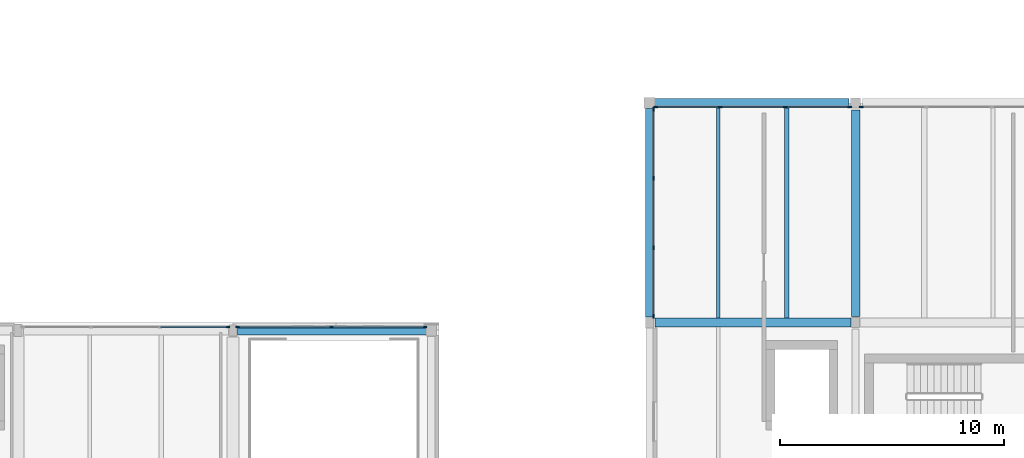
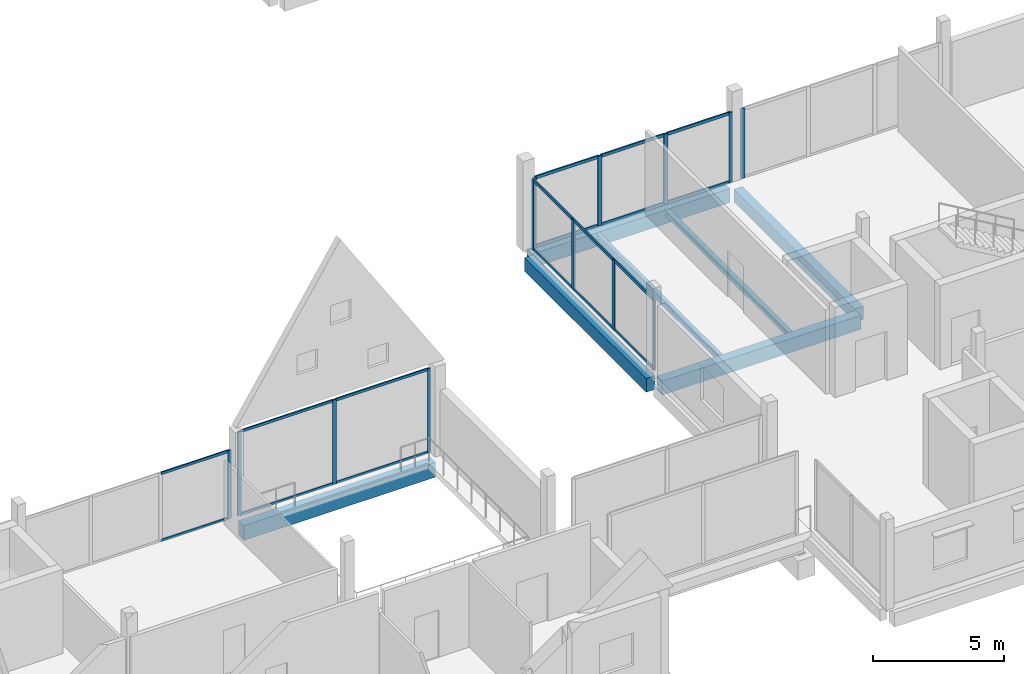
# One storey, part 10 of 35: 31 members, 7 beams, 5 elements without a shape of their own.
"""IFC4 building model written with IfcOpenShell, lengths in metres."""

from ifc_helpers import new_model, si_unit, direction, frame, origin, origin_2d, place, context, subcontext, project, spatial, rectangle, i_section, extrude, material, layer, layer_set, material_profile, profile_set, type_object, element, aggregate, save


model = new_model("IFC4")

# Units and contexts
model_context = context("Model", 3, precision=1e-05, world=origin(), true_north=direction((0.0, 1.0)))
body_context = subcontext(model_context, "Body", "Model", "MODEL_VIEW")
ifc_project = project(units=[si_unit("LENGTHUNIT", "METRE"), si_unit("AREAUNIT", "SQUARE_METRE"), si_unit("VOLUMEUNIT", "CUBIC_METRE"), si_unit("PLANEANGLEUNIT", "RADIAN"), si_unit("MASSUNIT", "GRAM", prefix="KILO")], contexts=[model_context])

# Site, building, storey
site_placement = place(None, origin())
site = spatial("IfcSite", under=ifc_project, at=site_placement, CompositionType="ELEMENT")
building_placement = place(site_placement, origin())
building = spatial("IfcBuilding", under=site, at=building_placement, Name="Birchvale Park Specialist Clinic", CompositionType="ELEMENT")
storey_placement = place(building_placement, frame((0.0, 0.0, 13.800048828125)))
storey = spatial("IfcBuildingStorey", under=building, at=storey_placement, Name="L03", CompositionType="ELEMENT", Elevation=13.800048828125)

# Beams
ifc_material_1 = material(Name="Concrete C40/50", Category="concrete")
ifc_material_profile_1 = material_profile(ifc_material_1, rectangle(XDim=0.39990234375, YDim=0.68994140625, at=origin_2d()), Name="RCB-400x690")
ifc_profile_set_1 = profile_set([ifc_material_profile_1], Name="Concrete C40/50")
beam_type_1 = type_object("IfcBeamType", Name="BM-EXT-BG4", PredefinedType="BEAM", material=ifc_profile_set_1)
beam_1_placement = place(storey_placement, frame((109.610107421875, 34.25, -0.625), z_axis=(1.0, 0.0, 0.0), x_axis=(0.0, 1.0, 0.0)))
element("IfcBeam", 1, at=beam_1_placement, inside=storey, type_object=beam_type_1, Name="V4 L03 X girder 17", PredefinedType="BEAM", context=body_context, shape_type="SweptSolid", body=[
    extrude(rectangle(XDim=0.39990234375, YDim=0.68994140625, at=origin_2d()), origin(), (0.0, 0.0, 1.0), 8.454833984375),
])
ifc_material_profile_2 = material_profile(ifc_material_1, rectangle(XDim=0.3798828125, YDim=0.639892578125, at=origin_2d()), Name="RCB-380x640")
ifc_profile_set_2 = profile_set([ifc_material_profile_2], Name="Concrete C40/50")
beam_type_2 = type_object("IfcBeamType", Name="BM-EXT-BG5", PredefinedType="BEAM", material=ifc_profile_set_2)
beam_2_placement = place(storey_placement, frame((128.0, 34.85009765625, -0.60009765625), z_axis=(0.0, 1.0, 0.0), x_axis=(-1.0, 0.0, 0.0)))
element("IfcBeam", 2, at=beam_2_placement, inside=storey, type_object=beam_type_2, Name="V5 L03 Y girder 15", PredefinedType="BEAM", context=body_context, shape_type="SweptSolid", body=[
    extrude(rectangle(XDim=0.3798828125, YDim=0.639892578125, at=origin_2d()), origin(), (0.0, 0.0, 1.0), 9.2998046875),
])
ifc_material_profile_3 = material_profile(ifc_material_1, rectangle(XDim=0.39990234375, YDim=0.64990234375, at=origin_2d()), Name="RCB-400x650")
ifc_profile_set_3 = profile_set([ifc_material_profile_3], Name="Concrete C40/50")
beam_type_3 = type_object("IfcBeamType", Name="BM-INT-BG4", PredefinedType="BEAM", material=ifc_profile_set_3)
beam_3_placement = place(storey_placement, frame((128.25, 34.60009765625, -0.60498046875), z_axis=(1.0, 0.0, 0.0), x_axis=(0.0, 1.0, 0.0)))
element("IfcBeam", 3, at=beam_3_placement, inside=storey, type_object=beam_type_3, Name="V5 L03 X girder 7", PredefinedType="BEAM", context=body_context, shape_type="SweptSolid", body=[
    extrude(rectangle(XDim=0.39990234375, YDim=0.64990234375, at=origin_2d()), origin(), (0.0, 0.0, 1.0), 8.75),
])
beam_4_placement = place(storey_placement, frame((128.175048828125, 44.39990234375, -0.60498046875), z_axis=(1.0, 0.0, 0.0), x_axis=(0.0, 1.0, 0.0)))
element("IfcBeam", 4, at=beam_4_placement, inside=storey, type_object=beam_type_3, Name="V5 L03 X girder 10", PredefinedType="BEAM", context=body_context, shape_type="SweptSolid", body=[
    extrude(rectangle(XDim=0.39990234375, YDim=0.64990234375, at=origin_2d()), origin(), (0.0, 0.0, 1.0), 8.724853515625),
])
ifc_material_profile_4 = material_profile(ifc_material_1, rectangle(XDim=0.3798828125, YDim=0.60009765625, at=origin_2d()), Name="RCB-380x600")
ifc_profile_set_4 = profile_set([ifc_material_profile_4], Name="Concrete C40/50")
beam_type_4 = type_object("IfcBeamType", Name="BM-INT-BG5", PredefinedType="BEAM", material=ifc_profile_set_4)
beam_5_placement = place(storey_placement, frame((137.199951171875, 34.875, -0.580078125), z_axis=(0.0, 1.0, 0.0), x_axis=(-1.0, 0.0, 0.0)))
element("IfcBeam", 5, at=beam_5_placement, inside=storey, type_object=beam_type_4, Name="V5 L03 Y girder 18", PredefinedType="BEAM", context=body_context, shape_type="SweptSolid", body=[
    extrude(rectangle(XDim=0.3798828125, YDim=0.60009765625, at=origin_2d()), origin(), (0.0, 0.0, 1.0), 9.22509765625),
])

# Curtain wall, members
ifc_material_2 = material(Name="Thermally broken anodised aluminium", Category="aluminium")
ifc_layer_1 = layer(ifc_material_2, 0.179931640625)
ifc_layer_set_1 = layer_set([ifc_layer_1], Name="Thermally broken anodised aluminium")
curtain_wall_type_1 = type_object("IfcCurtainWallType", Name="CW-U1", PredefinedType="USERDEFINED", material=ifc_layer_set_1)
curtain_wall_1_placement = place(storey_placement, origin())
curtain_wall_1 = element("IfcCurtainWall", 6, at=curtain_wall_1_placement, inside=storey, type_object=curtain_wall_type_1, Name="V4 L03 glazed curtain wall 123", ObjectType="UNITISED", PredefinedType="USERDEFINED")
ifc_material_profile_5 = material_profile(ifc_material_2, rectangle(XDim=0.06005859375, YDim=0.159912109375, at=origin_2d()), Name="CWM-60x160")
ifc_profile_set_5 = profile_set([ifc_material_profile_5], Name="Thermally broken anodised aluminium")
member_type_1 = type_object("IfcMemberType", Name="CWM1", PredefinedType="MULLION", material=ifc_profile_set_5)
member_1_placement = place(storey_placement, frame((117.97998046875, 34.409912109375, 0.0), z_axis=(0.0, 0.0, 1.0), x_axis=(0.0, -1.0, 0.0)))
member_1 = element("IfcMember", 7, at=member_1_placement, type_object=member_type_1, Name="CW mullion 1", PredefinedType="MULLION", context=body_context, shape_type="SweptSolid", body=[
    extrude(rectangle(XDim=0.06005859375, YDim=0.159912109375, at=origin_2d()), origin(), (0.0, 0.0, 1.0), 3.919921875),
])
member_2_placement = place(storey_placement, frame((113.797607421875, 34.409912109375, 0.0), z_axis=(0.0, 0.0, 1.0), x_axis=(0.0, -1.0, 0.0)))
member_2 = element("IfcMember", 8, at=member_2_placement, type_object=member_type_1, Name="CW mullion 2", PredefinedType="MULLION", context=body_context, shape_type="SweptSolid", body=[
    extrude(rectangle(XDim=0.06005859375, YDim=0.159912109375, at=origin_2d()), origin(), (0.0, 0.0, 1.0), 3.919921875),
])
member_3_placement = place(storey_placement, frame((109.614990234375, 34.409912109375, 0.0), z_axis=(0.0, 0.0, 1.0), x_axis=(0.0, -1.0, 0.0)))
member_3 = element("IfcMember", 9, at=member_3_placement, type_object=member_type_1, Name="CW mullion 3", PredefinedType="MULLION", context=body_context, shape_type="SweptSolid", body=[
    extrude(rectangle(XDim=0.06005859375, YDim=0.159912109375, at=origin_2d()), origin(), (0.0, 0.0, 1.0), 3.919921875),
])

# Curtain wall, member
curtain_wall_2_placement = place(storey_placement, origin())
curtain_wall_2 = element("IfcCurtainWall", 10, at=curtain_wall_2_placement, inside=storey, type_object=curtain_wall_type_1, Name="V4 L03 glazed curtain wall 124", ObjectType="UNITISED", PredefinedType="USERDEFINED")
member_4_placement = place(storey_placement, frame((109.18505859375, 34.409912109375, 0.0), z_axis=(0.0, 0.0, 1.0), x_axis=(0.0, -1.0, 0.0)))
member_4 = element("IfcMember", 11, at=member_4_placement, type_object=member_type_1, Name="CW mullion 1", PredefinedType="MULLION", context=body_context, shape_type="SweptSolid", body=[
    extrude(rectangle(XDim=0.06005859375, YDim=0.159912109375, at=origin_2d()), origin(), (0.0, 0.0, 1.0), 3.18505859375),
])

ifc_layer_2 = layer(ifc_material_2, 0.195068359375)
ifc_layer_set_2 = layer_set([ifc_layer_2], Name="Thermally broken anodised aluminium")
curtain_wall_type_2 = type_object("IfcCurtainWallType", Name="CW-U2", PredefinedType="USERDEFINED", material=ifc_layer_set_2)
curtain_wall_3_placement = place(storey_placement, origin())
curtain_wall_3 = element("IfcCurtainWall", 12, at=curtain_wall_3_placement, inside=storey, type_object=curtain_wall_type_2, Name="V5 L03 glazed curtain wall 126", ObjectType="UNITISED", PredefinedType="USERDEFINED")
ifc_material_profile_6 = material_profile(ifc_material_2, rectangle(XDim=0.06494140625, YDim=0.179931640625, at=origin_2d()), Name="CWM-65x180")
ifc_profile_set_6 = profile_set([ifc_material_profile_6], Name="Thermally broken anodised aluminium")
member_type_2 = type_object("IfcMemberType", Name="CWM2", PredefinedType="MULLION", material=ifc_profile_set_6)
member_5_placement = place(storey_placement, frame((137.45751953125, 44.22509765625, 0.0), z_axis=(0.0, 0.0, 1.0), x_axis=(0.0, -1.0, 0.0)))
member_5 = element("IfcMember", 13, at=member_5_placement, type_object=member_type_2, Name="CW mullion 4", PredefinedType="MULLION", context=body_context, shape_type="SweptSolid", body=[
    extrude(rectangle(XDim=0.06494140625, YDim=0.179931640625, at=origin_2d()), origin(), (0.0, 0.0, 1.0), 3.260009765625),
])
aggregate(curtain_wall_3, [member_5])

# Curtain wall, members
curtain_wall_4_placement = place(storey_placement, origin())
curtain_wall_4 = element("IfcCurtainWall", 14, at=curtain_wall_4_placement, inside=storey, type_object=curtain_wall_type_2, Name="V5 L03 glazed curtain wall 127", ObjectType="UNITISED", PredefinedType="USERDEFINED")
member_6_placement = place(storey_placement, frame((136.9423828125, 44.22509765625, 0.0), z_axis=(0.0, 0.0, 1.0), x_axis=(0.0, -1.0, 0.0)))
member_6 = element("IfcMember", 15, at=member_6_placement, type_object=member_type_2, Name="CW mullion 1", PredefinedType="MULLION", context=body_context, shape_type="SweptSolid", body=[
    extrude(rectangle(XDim=0.06494140625, YDim=0.179931640625, at=origin_2d()), origin(), (0.0, 0.0, 1.0), 3.260009765625),
])
member_7_placement = place(storey_placement, frame((134.066650390625, 44.22509765625, 0.0), z_axis=(0.0, 0.0, 1.0), x_axis=(0.0, -1.0, 0.0)))
member_7 = element("IfcMember", 16, at=member_7_placement, type_object=member_type_2, Name="CW mullion 2", PredefinedType="MULLION", context=body_context, shape_type="SweptSolid", body=[
    extrude(rectangle(XDim=0.06494140625, YDim=0.179931640625, at=origin_2d()), origin(), (0.0, 0.0, 1.0), 3.260009765625),
])
member_8_placement = place(storey_placement, frame((131.158447265625, 44.22509765625, 0.0), z_axis=(0.0, 0.0, 1.0), x_axis=(0.0, -1.0, 0.0)))
member_8 = element("IfcMember", 17, at=member_8_placement, type_object=member_type_2, Name="CW mullion 3", PredefinedType="MULLION", context=body_context, shape_type="SweptSolid", body=[
    extrude(rectangle(XDim=0.06494140625, YDim=0.179931640625, at=origin_2d()), origin(), (0.0, 0.0, 1.0), 3.260009765625),
])
member_9_placement = place(storey_placement, frame((128.282470703125, 44.22509765625, 0.0), z_axis=(0.0, 0.0, 1.0), x_axis=(0.0, -1.0, 0.0)))
member_9 = element("IfcMember", 18, at=member_9_placement, type_object=member_type_2, Name="CW mullion 4", PredefinedType="MULLION", context=body_context, shape_type="SweptSolid", body=[
    extrude(rectangle(XDim=0.06494140625, YDim=0.179931640625, at=origin_2d()), origin(), (0.0, 0.0, 1.0), 3.260009765625),
])

curtain_wall_5_placement = place(storey_placement, origin())
curtain_wall_5 = element("IfcCurtainWall", 19, at=curtain_wall_5_placement, inside=storey, type_object=curtain_wall_type_2, Name="V5 L03 glazed curtain wall 128", ObjectType="UNITISED", PredefinedType="USERDEFINED")
member_10_placement = place(storey_placement, frame((128.175048828125, 44.117431640625, 0.0), z_axis=(0.0, 0.0, 1.0), x_axis=(1.0, 0.0, 0.0)))
member_10 = element("IfcMember", 20, at=member_10_placement, type_object=member_type_2, Name="CW mullion 1", PredefinedType="MULLION", context=body_context, shape_type="SweptSolid", body=[
    extrude(rectangle(XDim=0.06494140625, YDim=0.179931640625, at=origin_2d()), origin(), (0.0, 0.0, 1.0), 3.27001953125),
])
member_11_placement = place(storey_placement, frame((128.175048828125, 41.050048828125, 0.0), z_axis=(0.0, 0.0, 1.0), x_axis=(1.0, 0.0, 0.0)))
member_11 = element("IfcMember", 21, at=member_11_placement, type_object=member_type_2, Name="CW mullion 2", PredefinedType="MULLION", context=body_context, shape_type="SweptSolid", body=[
    extrude(rectangle(XDim=0.06494140625, YDim=0.179931640625, at=origin_2d()), origin(), (0.0, 0.0, 1.0), 3.27001953125),
])
member_12_placement = place(storey_placement, frame((128.175048828125, 37.949951171875, 0.0), z_axis=(0.0, 0.0, 1.0), x_axis=(1.0, 0.0, 0.0)))
member_12 = element("IfcMember", 22, at=member_12_placement, type_object=member_type_2, Name="CW mullion 3", PredefinedType="MULLION", context=body_context, shape_type="SweptSolid", body=[
    extrude(rectangle(XDim=0.06494140625, YDim=0.179931640625, at=origin_2d()), origin(), (0.0, 0.0, 1.0), 3.27001953125),
])
member_13_placement = place(storey_placement, frame((128.175048828125, 34.882568359375, 0.0), z_axis=(0.0, 0.0, 1.0), x_axis=(1.0, 0.0, 0.0)))
member_13 = element("IfcMember", 23, at=member_13_placement, type_object=member_type_2, Name="CW mullion 4", PredefinedType="MULLION", context=body_context, shape_type="SweptSolid", body=[
    extrude(rectangle(XDim=0.06494140625, YDim=0.179931640625, at=origin_2d()), origin(), (0.0, 0.0, 1.0), 3.27001953125),
])

# Member
ifc_material_profile_7 = material_profile(ifc_material_2, rectangle(XDim=0.06005859375, YDim=0.1201171875, at=origin_2d()), Name="CWT-60x120")
ifc_profile_set_7 = profile_set([ifc_material_profile_7], Name="Thermally broken anodised aluminium")
member_type_3 = type_object("IfcMemberType", Name="CWT1", PredefinedType="USERDEFINED", material=ifc_profile_set_7)
member_14_placement = place(storey_placement, frame((117.949951171875, 34.409912109375, 0.030029296875), z_axis=(-1.0, 0.0, 0.0), x_axis=(0.0, -1.0, 0.0)))
member_14 = element("IfcMember", 24, at=member_14_placement, type_object=member_type_3, Name="CW transom 1.1", ObjectType="TRANSOM", PredefinedType="USERDEFINED", context=body_context, shape_type="SweptSolid", body=[
    extrude(rectangle(XDim=0.06005859375, YDim=0.1201171875, at=origin_2d()), origin(), (0.0, 0.0, 1.0), 4.12255859375),
])

member_15_placement = place(storey_placement, frame((117.949951171875, 34.409912109375, 3.889892578125), z_axis=(-1.0, 0.0, 0.0), x_axis=(0.0, -1.0, 0.0)))
member_15 = element("IfcMember", 25, at=member_15_placement, type_object=member_type_3, Name="CW transom 1.2", ObjectType="TRANSOM", PredefinedType="USERDEFINED", context=body_context, shape_type="SweptSolid", body=[
    extrude(rectangle(XDim=0.06005859375, YDim=0.1201171875, at=origin_2d()), origin(), (0.0, 0.0, 1.0), 4.12255859375),
])

member_16_placement = place(storey_placement, frame((113.767578125, 34.409912109375, 0.030029296875), z_axis=(-1.0, 0.0, 0.0), x_axis=(0.0, -1.0, 0.0)))
member_16 = element("IfcMember", 26, at=member_16_placement, type_object=member_type_3, Name="CW transom 2.1", ObjectType="TRANSOM", PredefinedType="USERDEFINED", context=body_context, shape_type="SweptSolid", body=[
    extrude(rectangle(XDim=0.06005859375, YDim=0.1201171875, at=origin_2d()), origin(), (0.0, 0.0, 1.0), 4.12255859375),
])

member_17_placement = place(storey_placement, frame((113.767578125, 34.409912109375, 3.889892578125), z_axis=(-1.0, 0.0, 0.0), x_axis=(0.0, -1.0, 0.0)))
member_17 = element("IfcMember", 27, at=member_17_placement, type_object=member_type_3, Name="CW transom 2.2", ObjectType="TRANSOM", PredefinedType="USERDEFINED", context=body_context, shape_type="SweptSolid", body=[
    extrude(rectangle(XDim=0.06005859375, YDim=0.1201171875, at=origin_2d()), origin(), (0.0, 0.0, 1.0), 4.12255859375),
])

aggregate(curtain_wall_1, [member_1, member_2, member_3, member_14, member_15, member_16, member_17])

member_18_placement = place(storey_placement, frame((109.155029296875, 34.409912109375, 0.030029296875), z_axis=(-1.0, 0.0, 0.0), x_axis=(0.0, -1.0, 0.0)))
member_18 = element("IfcMember", 28, at=member_18_placement, type_object=member_type_3, Name="CW transom 1.1", ObjectType="TRANSOM", PredefinedType="USERDEFINED", context=body_context, shape_type="SweptSolid", body=[
    extrude(rectangle(XDim=0.06005859375, YDim=0.1201171875, at=origin_2d()), origin(), (0.0, 0.0, 1.0), 2.98681640625),
])

member_19_placement = place(storey_placement, frame((109.155029296875, 34.409912109375, 3.155029296875), z_axis=(-1.0, 0.0, 0.0), x_axis=(0.0, -1.0, 0.0)))
member_19 = element("IfcMember", 29, at=member_19_placement, type_object=member_type_3, Name="CW transom 1.2", ObjectType="TRANSOM", PredefinedType="USERDEFINED", context=body_context, shape_type="SweptSolid", body=[
    extrude(rectangle(XDim=0.06005859375, YDim=0.1201171875, at=origin_2d()), origin(), (0.0, 0.0, 1.0), 2.98681640625),
])

aggregate(curtain_wall_2, [member_4, member_18, member_19])

ifc_material_profile_8 = material_profile(ifc_material_2, rectangle(XDim=0.06494140625, YDim=0.139892578125, at=origin_2d()), Name="CWT-65x140")
ifc_profile_set_8 = profile_set([ifc_material_profile_8], Name="Thermally broken anodised aluminium")
member_type_4 = type_object("IfcMemberType", Name="CWT2", PredefinedType="USERDEFINED", material=ifc_profile_set_8)
member_20_placement = place(storey_placement, frame((136.909912109375, 44.22509765625, 0.032470703125), z_axis=(-1.0, 0.0, 0.0), x_axis=(0.0, -1.0, 0.0)))
member_20 = element("IfcMember", 30, at=member_20_placement, type_object=member_type_4, Name="CW transom 1.1", ObjectType="TRANSOM", PredefinedType="USERDEFINED", context=body_context, shape_type="SweptSolid", body=[
    extrude(rectangle(XDim=0.06494140625, YDim=0.139892578125, at=origin_2d()), origin(), (0.0, 0.0, 1.0), 2.810791015625),
])

member_21_placement = place(storey_placement, frame((136.909912109375, 44.22509765625, 3.2275390625), z_axis=(-1.0, 0.0, 0.0), x_axis=(0.0, -1.0, 0.0)))
member_21 = element("IfcMember", 31, at=member_21_placement, type_object=member_type_4, Name="CW transom 1.2", ObjectType="TRANSOM", PredefinedType="USERDEFINED", context=body_context, shape_type="SweptSolid", body=[
    extrude(rectangle(XDim=0.06494140625, YDim=0.139892578125, at=origin_2d()), origin(), (0.0, 0.0, 1.0), 2.810791015625),
])

member_22_placement = place(storey_placement, frame((134.0341796875, 44.22509765625, 0.032470703125), z_axis=(-1.0, 0.0, 0.0), x_axis=(0.0, -1.0, 0.0)))
member_22 = element("IfcMember", 32, at=member_22_placement, type_object=member_type_4, Name="CW transom 2.1", ObjectType="TRANSOM", PredefinedType="USERDEFINED", context=body_context, shape_type="SweptSolid", body=[
    extrude(rectangle(XDim=0.06494140625, YDim=0.139892578125, at=origin_2d()), origin(), (0.0, 0.0, 1.0), 2.84326171875),
])

member_23_placement = place(storey_placement, frame((134.0341796875, 44.22509765625, 3.2275390625), z_axis=(-1.0, 0.0, 0.0), x_axis=(0.0, -1.0, 0.0)))
member_23 = element("IfcMember", 33, at=member_23_placement, type_object=member_type_4, Name="CW transom 2.2", ObjectType="TRANSOM", PredefinedType="USERDEFINED", context=body_context, shape_type="SweptSolid", body=[
    extrude(rectangle(XDim=0.06494140625, YDim=0.139892578125, at=origin_2d()), origin(), (0.0, 0.0, 1.0), 2.84326171875),
])

member_24_placement = place(storey_placement, frame((131.125732421875, 44.22509765625, 0.032470703125), z_axis=(-1.0, 0.0, 0.0), x_axis=(0.0, -1.0, 0.0)))
member_24 = element("IfcMember", 34, at=member_24_placement, type_object=member_type_4, Name="CW transom 3.1", ObjectType="TRANSOM", PredefinedType="USERDEFINED", context=body_context, shape_type="SweptSolid", body=[
    extrude(rectangle(XDim=0.06494140625, YDim=0.139892578125, at=origin_2d()), origin(), (0.0, 0.0, 1.0), 2.810791015625),
])

member_25_placement = place(storey_placement, frame((131.125732421875, 44.22509765625, 3.2275390625), z_axis=(-1.0, 0.0, 0.0), x_axis=(0.0, -1.0, 0.0)))
member_25 = element("IfcMember", 35, at=member_25_placement, type_object=member_type_4, Name="CW transom 3.2", ObjectType="TRANSOM", PredefinedType="USERDEFINED", context=body_context, shape_type="SweptSolid", body=[
    extrude(rectangle(XDim=0.06494140625, YDim=0.139892578125, at=origin_2d()), origin(), (0.0, 0.0, 1.0), 2.810791015625),
])

aggregate(curtain_wall_4, [member_6, member_7, member_8, member_9, member_20, member_21, member_22, member_23, member_24, member_25])

member_26_placement = place(storey_placement, frame((128.175048828125, 44.0849609375, 0.032470703125), z_axis=(0.0, -1.0, 0.0), x_axis=(1.0, 0.0, 0.0)))
member_26 = element("IfcMember", 36, at=member_26_placement, type_object=member_type_4, Name="CW transom 1.1", ObjectType="TRANSOM", PredefinedType="USERDEFINED", context=body_context, shape_type="SweptSolid", body=[
    extrude(rectangle(XDim=0.06494140625, YDim=0.139892578125, at=origin_2d()), origin(), (0.0, 0.0, 1.0), 3.00244140625),
])

member_27_placement = place(storey_placement, frame((128.175048828125, 44.0849609375, 3.237548828125), z_axis=(0.0, -1.0, 0.0), x_axis=(1.0, 0.0, 0.0)))
member_27 = element("IfcMember", 37, at=member_27_placement, type_object=member_type_4, Name="CW transom 1.2", ObjectType="TRANSOM", PredefinedType="USERDEFINED", context=body_context, shape_type="SweptSolid", body=[
    extrude(rectangle(XDim=0.06494140625, YDim=0.139892578125, at=origin_2d()), origin(), (0.0, 0.0, 1.0), 3.00244140625),
])

member_28_placement = place(storey_placement, frame((128.175048828125, 41.017578125, 0.032470703125), z_axis=(0.0, -1.0, 0.0), x_axis=(1.0, 0.0, 0.0)))
member_28 = element("IfcMember", 38, at=member_28_placement, type_object=member_type_4, Name="CW transom 2.1", ObjectType="TRANSOM", PredefinedType="USERDEFINED", context=body_context, shape_type="SweptSolid", body=[
    extrude(rectangle(XDim=0.06494140625, YDim=0.139892578125, at=origin_2d()), origin(), (0.0, 0.0, 1.0), 3.03515625),
])

member_29_placement = place(storey_placement, frame((128.175048828125, 41.017578125, 3.237548828125), z_axis=(0.0, -1.0, 0.0), x_axis=(1.0, 0.0, 0.0)))
member_29 = element("IfcMember", 39, at=member_29_placement, type_object=member_type_4, Name="CW transom 2.2", ObjectType="TRANSOM", PredefinedType="USERDEFINED", context=body_context, shape_type="SweptSolid", body=[
    extrude(rectangle(XDim=0.06494140625, YDim=0.139892578125, at=origin_2d()), origin(), (0.0, 0.0, 1.0), 3.03515625),
])

member_30_placement = place(storey_placement, frame((128.175048828125, 37.91748046875, 0.032470703125), z_axis=(0.0, -1.0, 0.0), x_axis=(1.0, 0.0, 0.0)))
member_30 = element("IfcMember", 40, at=member_30_placement, type_object=member_type_4, Name="CW transom 3.1", ObjectType="TRANSOM", PredefinedType="USERDEFINED", context=body_context, shape_type="SweptSolid", body=[
    extrude(rectangle(XDim=0.06494140625, YDim=0.139892578125, at=origin_2d()), origin(), (0.0, 0.0, 1.0), 3.00244140625),
])

member_31_placement = place(storey_placement, frame((128.175048828125, 37.91748046875, 3.237548828125), z_axis=(0.0, -1.0, 0.0), x_axis=(1.0, 0.0, 0.0)))
member_31 = element("IfcMember", 41, at=member_31_placement, type_object=member_type_4, Name="CW transom 3.2", ObjectType="TRANSOM", PredefinedType="USERDEFINED", context=body_context, shape_type="SweptSolid", body=[
    extrude(rectangle(XDim=0.06494140625, YDim=0.139892578125, at=origin_2d()), origin(), (0.0, 0.0, 1.0), 3.00244140625),
])

aggregate(curtain_wall_5, [member_10, member_11, member_12, member_13, member_26, member_27, member_28, member_29, member_30, member_31])

# Beams
ifc_material_3 = material(Name="Steel ASTM A992 Grade 50", Category="steel")
ifc_material_profile_9 = material_profile(ifc_material_3, i_section(OverallWidth=0.1669921875, OverallDepth=0.31689453125, WebThickness=0.007568359375, FlangeThickness=0.01318359375, at=origin_2d()), Name="W12X35")
ifc_profile_set_9 = profile_set([ifc_material_profile_9], Name="Steel ASTM A992 Grade 50")
beam_type_5 = type_object("IfcBeamType", Name="STL-INT-SJ3", PredefinedType="JOIST", material=ifc_profile_set_9)
beam_6_placement = place(storey_placement, frame((131.066650390625, 34.800048828125, -0.4384765625), z_axis=(0.0, 1.0, 0.0), x_axis=(-1.0, 0.0, 0.0)))
element("IfcBeam", 42, at=beam_6_placement, inside=storey, type_object=beam_type_5, Name="V5 L03 secondary floor joist 3", PredefinedType="JOIST", context=body_context, shape_type="SweptSolid", body=[
    extrude(i_section(OverallWidth=0.1669921875, OverallDepth=0.31689453125, WebThickness=0.007568359375, FlangeThickness=0.01318359375, at=origin_2d()), origin(), (0.0, 0.0, 1.0), 9.39990234375),
])
ifc_material_profile_10 = material_profile(ifc_material_3, i_section(OverallWidth=0.202880859375, OverallDepth=0.251953125, WebThickness=0.008056640625, FlangeThickness=0.013427734375, at=origin_2d()), Name="W10X39")
ifc_profile_set_10 = profile_set([ifc_material_profile_10], Name="Steel ASTM A992 Grade 50")
beam_type_6 = type_object("IfcBeamType", Name="STL-INT-SJ4", PredefinedType="JOIST", material=ifc_profile_set_10)
beam_7_placement = place(storey_placement, frame((134.13330078125, 34.800048828125, -0.406005859375), z_axis=(0.0, 1.0, 0.0), x_axis=(-1.0, 0.0, 0.0)))
element("IfcBeam", 43, at=beam_7_placement, inside=storey, type_object=beam_type_6, Name="V5 L03 secondary floor joist 4", PredefinedType="JOIST", context=body_context, shape_type="SweptSolid", body=[
    extrude(i_section(OverallWidth=0.202880859375, OverallDepth=0.251953125, WebThickness=0.008056640625, FlangeThickness=0.013427734375, at=origin_2d()), origin(), (0.0, 0.0, 1.0), 9.39990234375),
])

save(model, "model.ifc")
